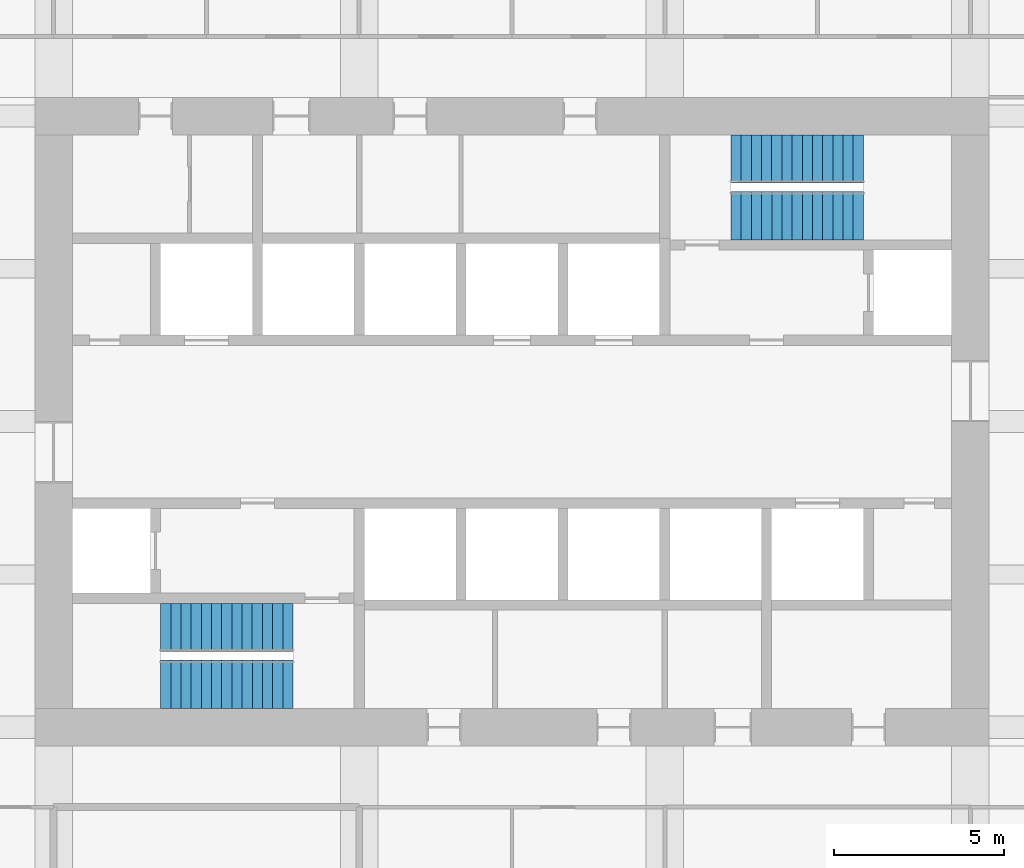
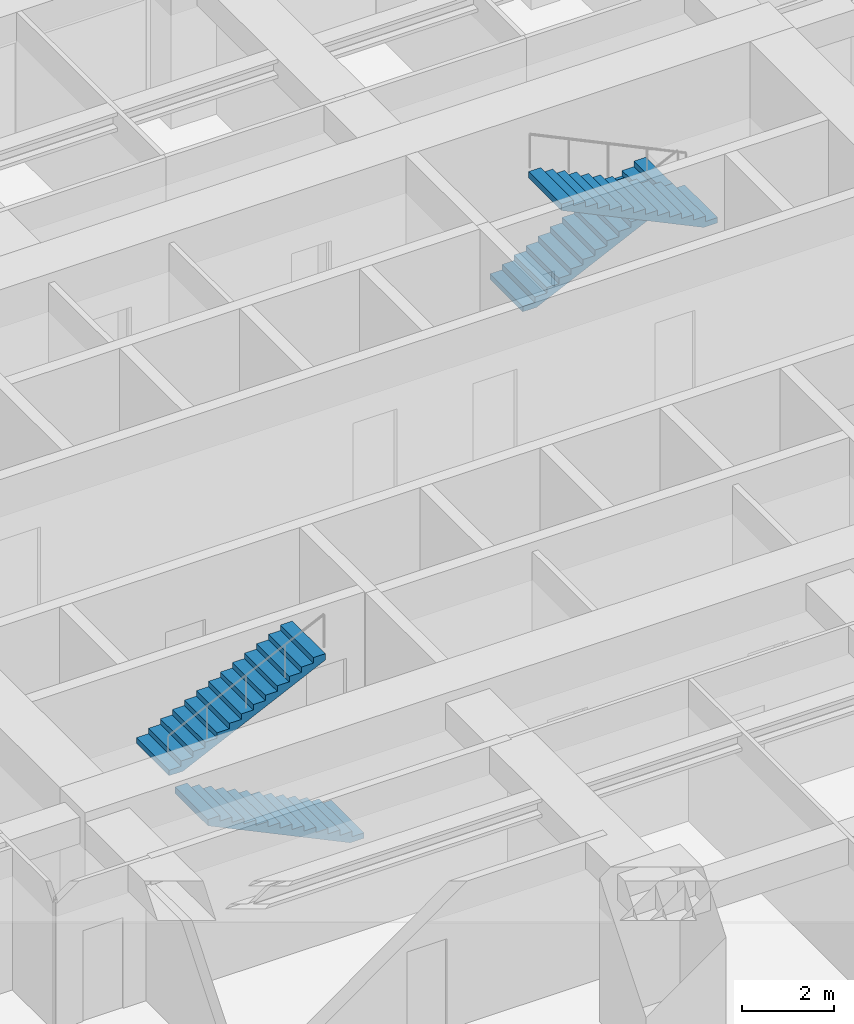
# One storey, part 39 of 40: 4 stair flights, 2 elements without a shape of their own.
"""IFC4 building model written with IfcOpenShell, lengths in metres."""

from ifc_helpers import new_model, si_unit, direction, frame, origin, place, context, subcontext, project, spatial, polyline, outline, extrude, material, type_object, element, aggregate, save


model = new_model("IFC4")

# Units and contexts
model_context = context("Model", 3, precision=1e-05, world=origin(), true_north=direction((0.0, 1.0)))
body_context = subcontext(model_context, "Body", "Model", "MODEL_VIEW")
ifc_project = project(units=[si_unit("LENGTHUNIT", "METRE"), si_unit("AREAUNIT", "SQUARE_METRE"), si_unit("VOLUMEUNIT", "CUBIC_METRE"), si_unit("PLANEANGLEUNIT", "RADIAN"), si_unit("MASSUNIT", "GRAM", prefix="KILO")], contexts=[model_context])

# Site, building, storey
site_placement = place(None, origin())
site = spatial("IfcSite", under=ifc_project, at=site_placement, CompositionType="ELEMENT")
building_placement = place(site_placement, origin())
building = spatial("IfcBuilding", under=site, at=building_placement, Name="Zorevar Civic Tower", CompositionType="ELEMENT")
storey_placement = place(building_placement, frame((0.0, 0.0, 93.0)))
storey = spatial("IfcBuildingStorey", under=building, at=storey_placement, Name="L22", CompositionType="ELEMENT", Elevation=93.0)

# Stair, stair flights
ifc_material_1 = material(Name="Precast concrete C40/50", Category="concrete")
stair_type = type_object("IfcStairType", Name="Stair ST 28R", PredefinedType="HALF_TURN_STAIR", material=ifc_material_1)
stair_1_placement = place(storey_placement, origin())
stair_1 = element("IfcStair", 1, at=stair_1_placement, inside=storey, type_object=stair_type, Name="Stair ST1 L22", PredefinedType="HALF_TURN_STAIR")
ifc_material_2 = material(Name="Precast concrete C40/50", Category="concrete")
stair_flight_type = type_object("IfcStairFlightType", Name="Stair flight", PredefinedType="STRAIGHT", material=ifc_material_2)
stair_flight_1_placement = place(storey_placement, frame((25.050048828125, 19.262451171875, 0.0), z_axis=(0.0, 0.0, 1.0), x_axis=(-1.0, 0.0, 0.0)))
stair_flight_1 = element("IfcStairFlight", 2, at=stair_flight_1_placement, type_object=stair_flight_type, Name="ST1 flight 1", NumberOfRisers=14, NumberOfTreads=13, PredefinedType="STRAIGHT", RiserHeight=0.142857143, TreadLength=0.3, context=body_context, shape_type="SweptSolid", body=[
    extrude(outline(polyline([(0.0, 0.0), (0.0, 0.142822265625), (0.300048828125, 0.142822265625), (0.300048828125, 0.28564453125), (0.60009765625, 0.28564453125), (0.60009765625, 0.428466796875), (0.89990234375, 0.428466796875), (0.89990234375, 0.571533203125), (1.199951171875, 0.571533203125), (1.199951171875, 0.71435546875), (1.5, 0.71435546875), (1.5, 0.857177734375), (1.800048828125, 0.857177734375), (1.800048828125, 1.0), (2.10009765625, 1.0), (2.10009765625, 1.142822265625), (2.39990234375, 1.142822265625), (2.39990234375, 1.28564453125), (2.699951171875, 1.28564453125), (2.699951171875, 1.428466796875), (3.0, 1.428466796875), (3.0, 1.571533203125), (3.300048828125, 1.571533203125), (3.300048828125, 1.71435546875), (3.60009765625, 1.71435546875), (3.60009765625, 1.857177734375), (3.89990234375, 1.857177734375), (3.89990234375, 2.0), (3.89990234375, 1.691162109375), (0.3486328125, 0.0), (0.0, 0.0)])), frame((0.0, 0.71240234375, 0.0), z_axis=(0.0, -1.0, 0.0), x_axis=(1.0, 0.0, 0.0)), (0.0, 0.0, 1.0), 1.425048828125),
])
stair_flight_2_placement = place(storey_placement, frame((21.14990234375, 20.9375, 2.0), z_axis=(0.0, 0.0, 1.0), x_axis=(1.0, 0.0, 0.0)))
stair_flight_2 = element("IfcStairFlight", 3, at=stair_flight_2_placement, type_object=stair_flight_type, Name="ST1 flight 2", NumberOfRisers=14, NumberOfTreads=13, PredefinedType="STRAIGHT", RiserHeight=0.142857143, TreadLength=0.3, context=body_context, shape_type="SweptSolid", body=[
    extrude(outline(polyline([(0.0, 0.0), (0.0, 0.142822265625), (0.300048828125, 0.142822265625), (0.300048828125, 0.28564453125), (0.60009765625, 0.28564453125), (0.60009765625, 0.428466796875), (0.89990234375, 0.428466796875), (0.89990234375, 0.571533203125), (1.199951171875, 0.571533203125), (1.199951171875, 0.71435546875), (1.5, 0.71435546875), (1.5, 0.857177734375), (1.800048828125, 0.857177734375), (1.800048828125, 1.0), (2.10009765625, 1.0), (2.10009765625, 1.142822265625), (2.39990234375, 1.142822265625), (2.39990234375, 1.28564453125), (2.699951171875, 1.28564453125), (2.699951171875, 1.428466796875), (3.0, 1.428466796875), (3.0, 1.571533203125), (3.300048828125, 1.571533203125), (3.300048828125, 1.71435546875), (3.60009765625, 1.71435546875), (3.60009765625, 1.857177734375), (3.89990234375, 1.857177734375), (3.89990234375, 2.0), (3.89990234375, 1.691162109375), (0.3486328125, 0.0), (0.0, 0.0)])), frame((0.0, 0.71240234375, 0.0), z_axis=(0.0, -1.0, 0.0), x_axis=(1.0, 0.0, 0.0)), (0.0, 0.0, 1.0), 1.425048828125),
])
aggregate(stair_1, [stair_flight_1, stair_flight_2])

stair_2_placement = place(storey_placement, origin())
stair_2 = element("IfcStair", 4, at=stair_2_placement, inside=storey, type_object=stair_type, Name="Stair ST2 L22", PredefinedType="HALF_TURN_STAIR")
stair_flight_3_placement = place(storey_placement, frame((37.949951171875, 34.737548828125, 0.0), z_axis=(0.0, 0.0, 1.0), x_axis=(1.0, 0.0, 0.0)))
stair_flight_3 = element("IfcStairFlight", 5, at=stair_flight_3_placement, type_object=stair_flight_type, Name="ST2 flight 1", NumberOfRisers=14, NumberOfTreads=13, PredefinedType="STRAIGHT", RiserHeight=0.142857143, TreadLength=0.3, context=body_context, shape_type="SweptSolid", body=[
    extrude(outline(polyline([(0.0, 0.0), (0.0, 0.142822265625), (0.300048828125, 0.142822265625), (0.300048828125, 0.28564453125), (0.60009765625, 0.28564453125), (0.60009765625, 0.428466796875), (0.89990234375, 0.428466796875), (0.89990234375, 0.571533203125), (1.199951171875, 0.571533203125), (1.199951171875, 0.71435546875), (1.5, 0.71435546875), (1.5, 0.857177734375), (1.800048828125, 0.857177734375), (1.800048828125, 1.0), (2.10009765625, 1.0), (2.10009765625, 1.142822265625), (2.39990234375, 1.142822265625), (2.39990234375, 1.28564453125), (2.699951171875, 1.28564453125), (2.699951171875, 1.428466796875), (3.0, 1.428466796875), (3.0, 1.571533203125), (3.300048828125, 1.571533203125), (3.300048828125, 1.71435546875), (3.60009765625, 1.71435546875), (3.60009765625, 1.857177734375), (3.89990234375, 1.857177734375), (3.89990234375, 2.0), (3.89990234375, 1.691162109375), (0.3486328125, 0.0), (0.0, 0.0)])), frame((0.0, 0.71240234375, 0.0), z_axis=(0.0, -1.0, 0.0), x_axis=(1.0, 0.0, 0.0)), (0.0, 0.0, 1.0), 1.425048828125),
])
stair_flight_4_placement = place(storey_placement, frame((41.85009765625, 33.0625, 2.0), z_axis=(0.0, 0.0, 1.0), x_axis=(-1.0, 0.0, 0.0)))
stair_flight_4 = element("IfcStairFlight", 6, at=stair_flight_4_placement, type_object=stair_flight_type, Name="ST2 flight 2", NumberOfRisers=14, NumberOfTreads=13, PredefinedType="STRAIGHT", RiserHeight=0.142857143, TreadLength=0.3, context=body_context, shape_type="SweptSolid", body=[
    extrude(outline(polyline([(0.0, 0.0), (0.0, 0.142822265625), (0.300048828125, 0.142822265625), (0.300048828125, 0.28564453125), (0.60009765625, 0.28564453125), (0.60009765625, 0.428466796875), (0.89990234375, 0.428466796875), (0.89990234375, 0.571533203125), (1.199951171875, 0.571533203125), (1.199951171875, 0.71435546875), (1.5, 0.71435546875), (1.5, 0.857177734375), (1.800048828125, 0.857177734375), (1.800048828125, 1.0), (2.10009765625, 1.0), (2.10009765625, 1.142822265625), (2.39990234375, 1.142822265625), (2.39990234375, 1.28564453125), (2.699951171875, 1.28564453125), (2.699951171875, 1.428466796875), (3.0, 1.428466796875), (3.0, 1.571533203125), (3.300048828125, 1.571533203125), (3.300048828125, 1.71435546875), (3.60009765625, 1.71435546875), (3.60009765625, 1.857177734375), (3.89990234375, 1.857177734375), (3.89990234375, 2.0), (3.89990234375, 1.691162109375), (0.3486328125, 0.0), (0.0, 0.0)])), frame((0.0, 0.71240234375, 0.0), z_axis=(0.0, -1.0, 0.0), x_axis=(1.0, 0.0, 0.0)), (0.0, 0.0, 1.0), 1.425048828125),
])
aggregate(stair_2, [stair_flight_3, stair_flight_4])

save(model, "model.ifc")
